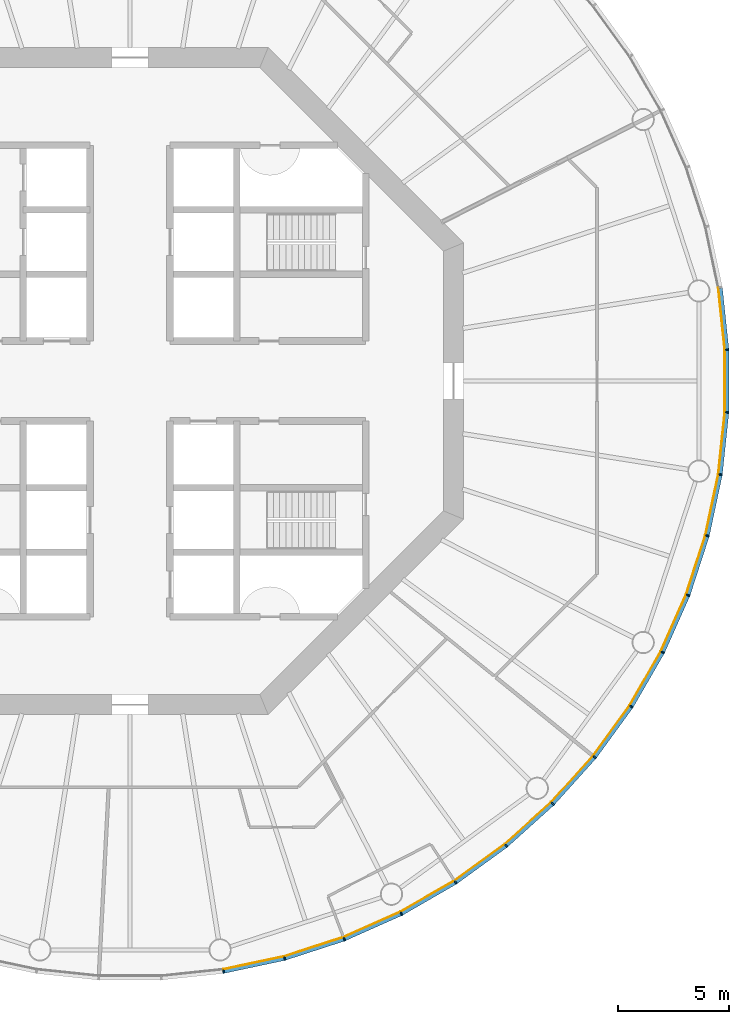
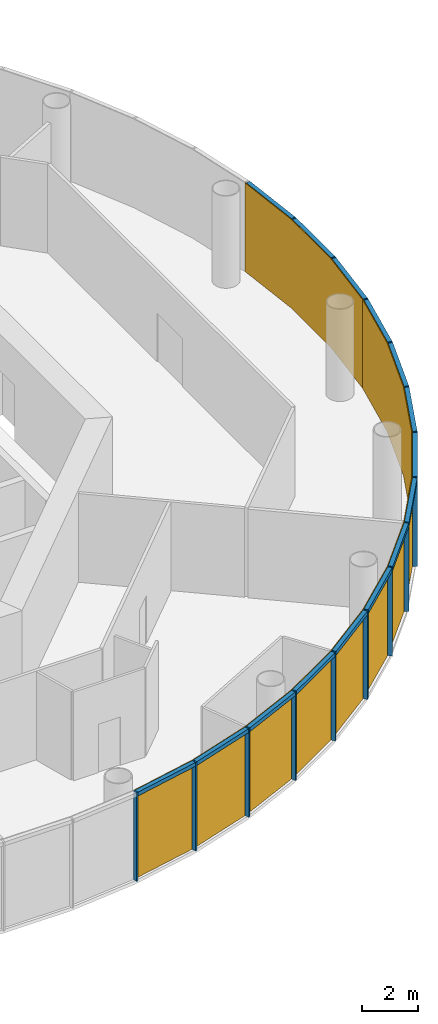
# One storey, part 8 of 12: 30 members, 5 curtain walls.
"""IFC4 building model written with IfcOpenShell, lengths in metres."""

from ifc_helpers import new_model, si_unit, direction, frame, origin, origin_2d, place, context, subcontext, project, spatial, polyline, rectangle, outline, extrude, material, layer, layer_set, material_profile, profile_set, type_object, element, aggregate, save


model = new_model("IFC4")

# Units and contexts
model_context = context("Model", 3, precision=1e-05, world=origin(), true_north=direction((0.0, 1.0)))
body_context = subcontext(model_context, "Body", "Model", "MODEL_VIEW")
ifc_project = project(units=[si_unit("LENGTHUNIT", "METRE"), si_unit("AREAUNIT", "SQUARE_METRE"), si_unit("VOLUMEUNIT", "CUBIC_METRE"), si_unit("PLANEANGLEUNIT", "RADIAN"), si_unit("MASSUNIT", "GRAM", prefix="KILO")], contexts=[model_context])

# Member
ifc_material_1 = material(Name="Anodised aluminium", Category="aluminium")
ifc_material_profile_1 = material_profile(ifc_material_1, rectangle(XDim=0.06005859375, YDim=0.169921875, at=origin_2d()), Name="Mullion 60 x 170 mm anodised aluminium")
ifc_profile_set_1 = profile_set([ifc_material_profile_1], Name="Anodised aluminium")
member_type_1 = type_object("IfcMemberType", Name="Mullion 60 x 170 mm anodised aluminium", PredefinedType="MULLION", material=ifc_profile_set_1)
site_placement = place(None, origin())
building_placement = place(site_placement, origin())
storey_placement = place(building_placement, frame((0.0, 0.0, 254.0)))
member_1_placement = place(storey_placement, frame((94.205810546875, 53.446044921875, 0.0), z_axis=(0.0, 0.0, 1.0), x_axis=(0.987688340595, 0.15643446504, 0.0)))
member_1 = element("IfcMember", 1, at=member_1_placement, type_object=member_type_1, Name="MULLION L58-45", PredefinedType="MULLION", context=body_context, shape_type="SweptSolid", body=[
    extrude(rectangle(XDim=0.06005859375, YDim=0.169921875, at=origin_2d()), origin(), (0.0, 0.0, 1.0), 3.85009765625),
])

member_2_placement = place(storey_placement, frame((96.958251953125, 54.031005859375, 0.0), z_axis=(0.0, 0.0, 1.0), x_axis=(0.965925826289, 0.258819045103, 0.0)))
member_2 = element("IfcMember", 2, at=member_2_placement, type_object=member_type_1, Name="MULLION L58-46", PredefinedType="MULLION", context=body_context, shape_type="SweptSolid", body=[
    extrude(rectangle(XDim=0.06005859375, YDim=0.169921875, at=origin_2d()), origin(), (0.0, 0.0, 1.0), 3.85009765625),
])

member_3_placement = place(storey_placement, frame((99.634765625, 54.900634765625, 0.0), z_axis=(0.0, 0.0, 1.0), x_axis=(0.933580426497, 0.358367949545, 0.0)))
member_3 = element("IfcMember", 3, at=member_3_placement, type_object=member_type_1, Name="MULLION L58-47", PredefinedType="MULLION", context=body_context, shape_type="SweptSolid", body=[
    extrude(rectangle(XDim=0.06005859375, YDim=0.169921875, at=origin_2d()), origin(), (0.0, 0.0, 1.0), 3.85009765625),
])

member_4_placement = place(storey_placement, frame((102.20556640625, 56.04541015625, 0.0), z_axis=(0.0, 0.0, 1.0), x_axis=(0.891006524188, 0.45399049974, 0.0)))
member_4 = element("IfcMember", 4, at=member_4_placement, type_object=member_type_1, Name="MULLION L58-48", PredefinedType="MULLION", context=body_context, shape_type="SweptSolid", body=[
    extrude(rectangle(XDim=0.06005859375, YDim=0.169921875, at=origin_2d()), origin(), (0.0, 0.0, 1.0), 3.85009765625),
])

member_5_placement = place(storey_placement, frame((104.642578125, 57.452392578125, 0.0), z_axis=(0.0, 0.0, 1.0), x_axis=(0.838670567945, 0.544639035015, 0.0)))
member_5 = element("IfcMember", 5, at=member_5_placement, type_object=member_type_1, Name="MULLION L58-49", PredefinedType="MULLION", context=body_context, shape_type="SweptSolid", body=[
    extrude(rectangle(XDim=0.06005859375, YDim=0.169921875, at=origin_2d()), origin(), (0.0, 0.0, 1.0), 3.85009765625),
])

member_6_placement = place(storey_placement, frame((106.919189453125, 59.1064453125, 0.0), z_axis=(0.0, 0.0, 1.0), x_axis=(0.777145961457, 0.62932039105, 0.0)))
member_6 = element("IfcMember", 6, at=member_6_placement, type_object=member_type_1, Name="MULLION L58-50", PredefinedType="MULLION", context=body_context, shape_type="SweptSolid", body=[
    extrude(rectangle(XDim=0.06005859375, YDim=0.169921875, at=origin_2d()), origin(), (0.0, 0.0, 1.0), 3.85009765625),
])

member_7_placement = place(storey_placement, frame((109.010498046875, 60.989501953125, 0.0), z_axis=(0.0, 0.0, 1.0), x_axis=(0.707106781187, 0.707106781187, 0.0)))
member_7 = element("IfcMember", 7, at=member_7_placement, type_object=member_type_1, Name="MULLION L58-51", PredefinedType="MULLION", context=body_context, shape_type="SweptSolid", body=[
    extrude(rectangle(XDim=0.06005859375, YDim=0.169921875, at=origin_2d()), origin(), (0.0, 0.0, 1.0), 3.85009765625),
])

member_8_placement = place(storey_placement, frame((110.8935546875, 63.080810546875, 0.0), z_axis=(0.0, 0.0, 1.0), x_axis=(0.62932039105, 0.777145961457, 0.0)))
member_8 = element("IfcMember", 8, at=member_8_placement, type_object=member_type_1, Name="MULLION L58-52", PredefinedType="MULLION", context=body_context, shape_type="SweptSolid", body=[
    extrude(rectangle(XDim=0.06005859375, YDim=0.169921875, at=origin_2d()), origin(), (0.0, 0.0, 1.0), 3.85009765625),
])

member_9_placement = place(storey_placement, frame((112.547607421875, 65.357421875, 0.0), z_axis=(0.0, 0.0, 1.0), x_axis=(0.544639035015, 0.838670567945, 0.0)))
member_9 = element("IfcMember", 9, at=member_9_placement, type_object=member_type_1, Name="MULLION L58-53", PredefinedType="MULLION", context=body_context, shape_type="SweptSolid", body=[
    extrude(rectangle(XDim=0.06005859375, YDim=0.169921875, at=origin_2d()), origin(), (0.0, 0.0, 1.0), 3.85009765625),
])

member_10_placement = place(storey_placement, frame((113.95458984375, 67.79443359375, 0.0), z_axis=(0.0, 0.0, 1.0), x_axis=(0.45399049974, 0.891006524188, 0.0)))
member_10 = element("IfcMember", 10, at=member_10_placement, type_object=member_type_1, Name="MULLION L58-54", PredefinedType="MULLION", context=body_context, shape_type="SweptSolid", body=[
    extrude(rectangle(XDim=0.06005859375, YDim=0.169921875, at=origin_2d()), origin(), (0.0, 0.0, 1.0), 3.85009765625),
])

member_11_placement = place(storey_placement, frame((115.099365234375, 70.365234375, 0.0), z_axis=(0.0, 0.0, 1.0), x_axis=(0.358367949545, 0.933580426497, 0.0)))
member_11 = element("IfcMember", 11, at=member_11_placement, type_object=member_type_1, Name="MULLION L58-55", PredefinedType="MULLION", context=body_context, shape_type="SweptSolid", body=[
    extrude(rectangle(XDim=0.06005859375, YDim=0.169921875, at=origin_2d()), origin(), (0.0, 0.0, 1.0), 3.85009765625),
])

member_12_placement = place(storey_placement, frame((115.968994140625, 73.041748046875, 0.0), z_axis=(0.0, 0.0, 1.0), x_axis=(0.258819045103, 0.965925826289, 0.0)))
member_12 = element("IfcMember", 12, at=member_12_placement, type_object=member_type_1, Name="MULLION L58-56", PredefinedType="MULLION", context=body_context, shape_type="SweptSolid", body=[
    extrude(rectangle(XDim=0.06005859375, YDim=0.169921875, at=origin_2d()), origin(), (0.0, 0.0, 1.0), 3.85009765625),
])

member_13_placement = place(storey_placement, frame((116.553955078125, 75.794189453125, 0.0), z_axis=(0.0, 0.0, 1.0), x_axis=(0.15643446504, 0.987688340595, 0.0)))
member_13 = element("IfcMember", 13, at=member_13_placement, type_object=member_type_1, Name="MULLION L58-57", PredefinedType="MULLION", context=body_context, shape_type="SweptSolid", body=[
    extrude(rectangle(XDim=0.06005859375, YDim=0.169921875, at=origin_2d()), origin(), (0.0, 0.0, 1.0), 3.85009765625),
])

member_14_placement = place(storey_placement, frame((116.84814453125, 78.593017578125, 0.0), z_axis=(0.0, 0.0, 1.0), x_axis=(0.052335956243, 0.998629534755, 0.0)))
member_14 = element("IfcMember", 14, at=member_14_placement, type_object=member_type_1, Name="MULLION L58-58", PredefinedType="MULLION", context=body_context, shape_type="SweptSolid", body=[
    extrude(rectangle(XDim=0.06005859375, YDim=0.169921875, at=origin_2d()), origin(), (0.0, 0.0, 1.0), 3.85009765625),
])

member_15_placement = place(storey_placement, frame((116.84814453125, 81.406982421875, 0.0), z_axis=(0.0, 0.0, 1.0), x_axis=(-0.052335956243, 0.998629534755, 0.0)))
member_15 = element("IfcMember", 15, at=member_15_placement, type_object=member_type_1, Name="MULLION L58-59", PredefinedType="MULLION", context=body_context, shape_type="SweptSolid", body=[
    extrude(rectangle(XDim=0.06005859375, YDim=0.169921875, at=origin_2d()), origin(), (0.0, 0.0, 1.0), 3.85009765625),
])

ifc_material_2 = material(Name="Anodised aluminium", Category="aluminium")
ifc_material_profile_2 = material_profile(ifc_material_2, rectangle(XDim=0.169921875, YDim=0.1650390625, at=origin_2d()), Name="Transom 165 x 170 mm anodised aluminium")
ifc_profile_set_2 = profile_set([ifc_material_profile_2], Name="Anodised aluminium")
member_type_2 = type_object("IfcMemberType", Name="Transom 165 x 170 mm anodised aluminium", PredefinedType="USERDEFINED", material=ifc_profile_set_2)
member_16_placement = place(storey_placement, frame((94.239501953125, 53.453125, 3.767578125), z_axis=(0.97814212115, 0.207937468562, 0.0), x_axis=(-0.207937468562, 0.97814212115, 0.0)))
member_16 = element("IfcMember", 16, at=member_16_placement, type_object=member_type_2, Name="TRANSOM L58-45", ObjectType="TRANSOM", PredefinedType="USERDEFINED", context=body_context, shape_type="SweptSolid", body=[
    extrude(rectangle(XDim=0.169921875, YDim=0.1650390625, at=origin_2d()), origin(), (0.0, 0.0, 1.0), 2.7451171875),
])

member_17_placement = place(storey_placement, frame((96.9912109375, 54.04150390625, 3.767578125), z_axis=(0.951048445774, 0.309041831781, 0.0), x_axis=(-0.309041831781, 0.951048445774, 0.0)))
member_17 = element("IfcMember", 17, at=member_17_placement, type_object=member_type_2, Name="TRANSOM L58-46", ObjectType="TRANSOM", PredefinedType="USERDEFINED", context=body_context, shape_type="SweptSolid", body=[
    extrude(rectangle(XDim=0.169921875, YDim=0.1650390625, at=origin_2d()), origin(), (0.0, 0.0, 1.0), 2.7451171875),
])

member_18_placement = place(storey_placement, frame((99.666259765625, 54.91455078125, 3.767578125), z_axis=(0.913525267704, 0.406781987391, 0.0), x_axis=(-0.406781987391, 0.913525267704, 0.0)))
member_18 = element("IfcMember", 18, at=member_18_placement, type_object=member_type_2, Name="TRANSOM L58-47", ObjectType="TRANSOM", PredefinedType="USERDEFINED", context=body_context, shape_type="SweptSolid", body=[
    extrude(rectangle(XDim=0.169921875, YDim=0.1650390625, at=origin_2d()), origin(), (0.0, 0.0, 1.0), 2.7451171875),
])

member_19_placement = place(storey_placement, frame((102.2353515625, 56.0625, 3.767578125), z_axis=(0.866034527326, 0.49998419723, 0.0), x_axis=(-0.49998419723, 0.866034527326, 0.0)))
member_19 = element("IfcMember", 19, at=member_19_placement, type_object=member_type_2, Name="TRANSOM L58-48", ObjectType="TRANSOM", PredefinedType="USERDEFINED", context=body_context, shape_type="SweptSolid", body=[
    extrude(rectangle(XDim=0.169921875, YDim=0.1650390625, at=origin_2d()), origin(), (0.0, 0.0, 1.0), 2.7451171875),
])

member_20_placement = place(storey_placement, frame((104.670654296875, 57.472412109375, 3.767578125), z_axis=(0.808959086484, 0.587864947412, 0.0), x_axis=(-0.587864947412, 0.808959086484, 0.0)))
member_20 = element("IfcMember", 20, at=member_20_placement, type_object=member_type_2, Name="TRANSOM L58-49", ObjectType="TRANSOM", PredefinedType="USERDEFINED", context=body_context, shape_type="SweptSolid", body=[
    extrude(rectangle(XDim=0.169921875, YDim=0.1650390625, at=origin_2d()), origin(), (0.0, 0.0, 1.0), 2.7451171875),
])

member_21_placement = place(storey_placement, frame((106.945068359375, 59.12939453125, 3.767578125), z_axis=(0.743134927907, 0.669141598561, 0.0), x_axis=(-0.669141598561, 0.743134927907, 0.0)))
member_21 = element("IfcMember", 21, at=member_21_placement, type_object=member_type_2, Name="TRANSOM L58-50", ObjectType="TRANSOM", PredefinedType="USERDEFINED", context=body_context, shape_type="SweptSolid", body=[
    extrude(rectangle(XDim=0.169921875, YDim=0.1650390625, at=origin_2d()), origin(), (0.0, 0.0, 1.0), 2.7451171875),
])

member_22_placement = place(storey_placement, frame((109.03369140625, 61.014892578125, 3.767578125), z_axis=(0.669141598561, 0.743134927907, 0.0), x_axis=(-0.743134927907, 0.669141598561, 0.0)))
member_22 = element("IfcMember", 22, at=member_22_placement, type_object=member_type_2, Name="TRANSOM L58-51", ObjectType="TRANSOM", PredefinedType="USERDEFINED", context=body_context, shape_type="SweptSolid", body=[
    extrude(rectangle(XDim=0.169921875, YDim=0.1650390625, at=origin_2d()), origin(), (0.0, 0.0, 1.0), 2.7451171875),
])

member_23_placement = place(storey_placement, frame((110.913818359375, 63.108642578125, 3.767578125), z_axis=(0.587864947412, 0.808959086484, 0.0), x_axis=(-0.808959086484, 0.587864947412, 0.0)))
member_23 = element("IfcMember", 23, at=member_23_placement, type_object=member_type_2, Name="TRANSOM L58-52", ObjectType="TRANSOM", PredefinedType="USERDEFINED", context=body_context, shape_type="SweptSolid", body=[
    extrude(rectangle(XDim=0.169921875, YDim=0.1650390625, at=origin_2d()), origin(), (0.0, 0.0, 1.0), 2.7451171875),
])

member_24_placement = place(storey_placement, frame((112.56494140625, 65.38720703125, 3.767578125), z_axis=(0.49998419723, 0.866034527326, 0.0), x_axis=(-0.866034527326, 0.49998419723, 0.0)))
member_24 = element("IfcMember", 24, at=member_24_placement, type_object=member_type_2, Name="TRANSOM L58-53", ObjectType="TRANSOM", PredefinedType="USERDEFINED", context=body_context, shape_type="SweptSolid", body=[
    extrude(rectangle(XDim=0.169921875, YDim=0.1650390625, at=origin_2d()), origin(), (0.0, 0.0, 1.0), 2.7451171875),
])

member_25_placement = place(storey_placement, frame((113.96875, 67.825927734375, 3.767578125), z_axis=(0.406781987391, 0.913525267704, 0.0), x_axis=(-0.913525267704, 0.406781987391, 0.0)))
member_25 = element("IfcMember", 25, at=member_25_placement, type_object=member_type_2, Name="TRANSOM L58-54", ObjectType="TRANSOM", PredefinedType="USERDEFINED", context=body_context, shape_type="SweptSolid", body=[
    extrude(rectangle(XDim=0.169921875, YDim=0.1650390625, at=origin_2d()), origin(), (0.0, 0.0, 1.0), 2.7451171875),
])

member_26_placement = place(storey_placement, frame((115.110107421875, 70.39794921875, 3.767578125), z_axis=(0.309041831781, 0.951048445774, 0.0), x_axis=(-0.951048445774, 0.309041831781, 0.0)))
member_26 = element("IfcMember", 26, at=member_26_placement, type_object=member_type_2, Name="TRANSOM L58-55", ObjectType="TRANSOM", PredefinedType="USERDEFINED", context=body_context, shape_type="SweptSolid", body=[
    extrude(rectangle(XDim=0.169921875, YDim=0.1650390625, at=origin_2d()), origin(), (0.0, 0.0, 1.0), 2.7451171875),
])

member_27_placement = place(storey_placement, frame((115.97607421875, 73.075439453125, 3.767578125), z_axis=(0.207937468562, 0.97814212115, 0.0), x_axis=(-0.97814212115, 0.207937468562, 0.0)))
member_27 = element("IfcMember", 27, at=member_27_placement, type_object=member_type_2, Name="TRANSOM L58-56", ObjectType="TRANSOM", PredefinedType="USERDEFINED", context=body_context, shape_type="SweptSolid", body=[
    extrude(rectangle(XDim=0.169921875, YDim=0.1650390625, at=origin_2d()), origin(), (0.0, 0.0, 1.0), 2.7451171875),
])

member_28_placement = place(storey_placement, frame((116.5576171875, 75.82861328125, 3.767578125), z_axis=(0.104592190102, 0.994515195344, 0.0), x_axis=(-0.994515195344, 0.104592190102, 0.0)))
member_28 = element("IfcMember", 28, at=member_28_placement, type_object=member_type_2, Name="TRANSOM L58-57", ObjectType="TRANSOM", PredefinedType="USERDEFINED", context=body_context, shape_type="SweptSolid", body=[
    extrude(rectangle(XDim=0.169921875, YDim=0.1650390625, at=origin_2d()), origin(), (0.0, 0.0, 1.0), 2.7451171875),
])

member_29_placement = place(storey_placement, frame((116.848388671875, 78.62744140625, 3.767578125), z_axis=(0.0, 1.0, 0.0), x_axis=(-1.0, 0.0, 0.0)))
member_29 = element("IfcMember", 29, at=member_29_placement, type_object=member_type_2, Name="TRANSOM L58-58", ObjectType="TRANSOM", PredefinedType="USERDEFINED", context=body_context, shape_type="SweptSolid", body=[
    extrude(rectangle(XDim=0.169921875, YDim=0.1650390625, at=origin_2d()), origin(), (0.0, 0.0, 1.0), 2.7451171875),
])

member_30_placement = place(storey_placement, frame((116.8447265625, 81.44140625, 3.767578125), z_axis=(-0.104592190102, 0.994515195344, 0.0), x_axis=(-0.994515195344, -0.104592190102, 0.0)))
member_30 = element("IfcMember", 30, at=member_30_placement, type_object=member_type_2, Name="TRANSOM L58-59", ObjectType="TRANSOM", PredefinedType="USERDEFINED", context=body_context, shape_type="SweptSolid", body=[
    extrude(rectangle(XDim=0.169921875, YDim=0.1650390625, at=origin_2d()), origin(), (0.0, 0.0, 1.0), 2.7451171875),
])

# Site, building, storey
site = spatial("IfcSite", under=ifc_project, at=site_placement, CompositionType="ELEMENT")
building = spatial("IfcBuilding", under=site, at=building_placement, Name="Entoto Ring Tower", CompositionType="ELEMENT")
storey = spatial("IfcBuildingStorey", under=building, at=storey_placement, Name="L58", CompositionType="ELEMENT", Elevation=254.0)

# Curtain wall
ifc_material_3 = material(Name="Clear low-iron glass", Category="glass")
ifc_layer = layer(ifc_material_3, 0.031982421875)
ifc_layer_set = layer_set([ifc_layer], Name="Clear low-iron glass")
curtain_wall_type = type_object("IfcCurtainWallType", Name="Curtain wall system CW4 glazing 32 mm", PredefinedType="NOTDEFINED", material=ifc_layer_set)
curtain_wall_1_placement = place(storey_placement, origin())
curtain_wall_1 = element("IfcCurtainWall", 31, at=curtain_wall_1_placement, inside=storey, type_object=curtain_wall_type, Name="CW4 L58-16", PredefinedType="NOTDEFINED", context=body_context, shape_type="SweptSolid", body=[
    extrude(outline(polyline([(94.1923828125, 53.530029296875), (96.936279296875, 54.11328125), (99.604248046875, 54.97998046875), (102.1669921875, 56.12109375), (102.15234375, 56.149658203125), (99.5927734375, 55.010009765625), (96.927978515625, 54.14404296875), (94.1875, 53.5615234375), (94.1923828125, 53.530029296875)])), origin(), (0.0, 0.0, 1.0), 3.85009765625),
])

aggregate(curtain_wall_1, [member_1, member_2, member_3, member_16, member_17, member_18])

curtain_wall_2_placement = place(storey_placement, origin())
curtain_wall_2 = element("IfcCurtainWall", 32, at=curtain_wall_2_placement, inside=storey, type_object=curtain_wall_type, Name="CW4 L58-17", PredefinedType="NOTDEFINED", context=body_context, shape_type="SweptSolid", body=[
    extrude(outline(polyline([(102.1669921875, 56.12109375), (104.596435546875, 57.523681640625), (106.86572265625, 59.172607421875), (108.950439453125, 61.049560546875), (108.927734375, 61.072265625), (106.845703125, 59.197509765625), (104.578857421875, 57.550537109375), (102.15234375, 56.149658203125), (102.1669921875, 56.12109375)])), origin(), (0.0, 0.0, 1.0), 3.85009765625),
])

aggregate(curtain_wall_2, [member_4, member_5, member_6, member_19, member_20, member_21])

curtain_wall_3_placement = place(storey_placement, origin())
curtain_wall_3 = element("IfcCurtainWall", 33, at=curtain_wall_3_placement, inside=storey, type_object=curtain_wall_type, Name="CW4 L58-18", PredefinedType="NOTDEFINED", context=body_context, shape_type="SweptSolid", body=[
    extrude(outline(polyline([(108.950439453125, 61.049560546875), (110.827392578125, 63.13427734375), (112.476318359375, 65.403564453125), (113.87890625, 67.8330078125), (113.850341796875, 67.84765625), (112.449462890625, 65.421142578125), (110.802490234375, 63.154296875), (108.927734375, 61.072265625), (108.950439453125, 61.049560546875)])), origin(), (0.0, 0.0, 1.0), 3.85009765625),
])

aggregate(curtain_wall_3, [member_7, member_8, member_9, member_22, member_23, member_24])

curtain_wall_4_placement = place(storey_placement, origin())
curtain_wall_4 = element("IfcCurtainWall", 34, at=curtain_wall_4_placement, inside=storey, type_object=curtain_wall_type, Name="CW4 L58-19", PredefinedType="NOTDEFINED", context=body_context, shape_type="SweptSolid", body=[
    extrude(outline(polyline([(113.87890625, 67.8330078125), (115.02001953125, 70.395751953125), (115.88671875, 73.063720703125), (116.469970703125, 75.8076171875), (116.4384765625, 75.8125), (115.85595703125, 73.072021484375), (114.989990234375, 70.4072265625), (113.850341796875, 67.84765625), (113.87890625, 67.8330078125)])), origin(), (0.0, 0.0, 1.0), 3.85009765625),
])

aggregate(curtain_wall_4, [member_10, member_11, member_12, member_25, member_26, member_27])

curtain_wall_5_placement = place(storey_placement, origin())
curtain_wall_5 = element("IfcCurtainWall", 35, at=curtain_wall_5_placement, inside=storey, type_object=curtain_wall_type, Name="CW4 L58-20", PredefinedType="NOTDEFINED", context=body_context, shape_type="SweptSolid", body=[
    extrude(outline(polyline([(116.469970703125, 75.8076171875), (116.76318359375, 78.597412109375), (116.76318359375, 81.402587890625), (116.469970703125, 84.1923828125), (116.4384765625, 84.1875), (116.731201171875, 81.40087890625), (116.731201171875, 78.59912109375), (116.4384765625, 75.8125), (116.469970703125, 75.8076171875)])), origin(), (0.0, 0.0, 1.0), 3.85009765625),
])

aggregate(curtain_wall_5, [member_13, member_14, member_15, member_28, member_29, member_30])

save(model, "model.ifc")
